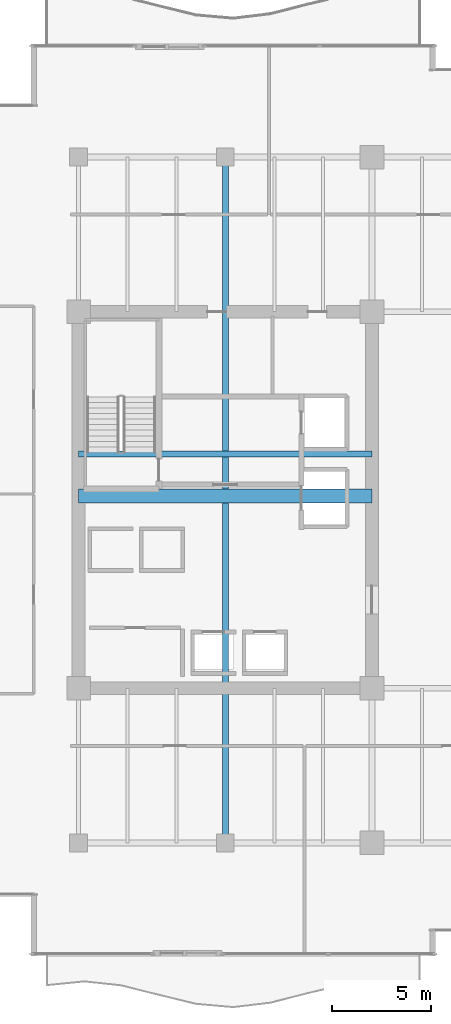
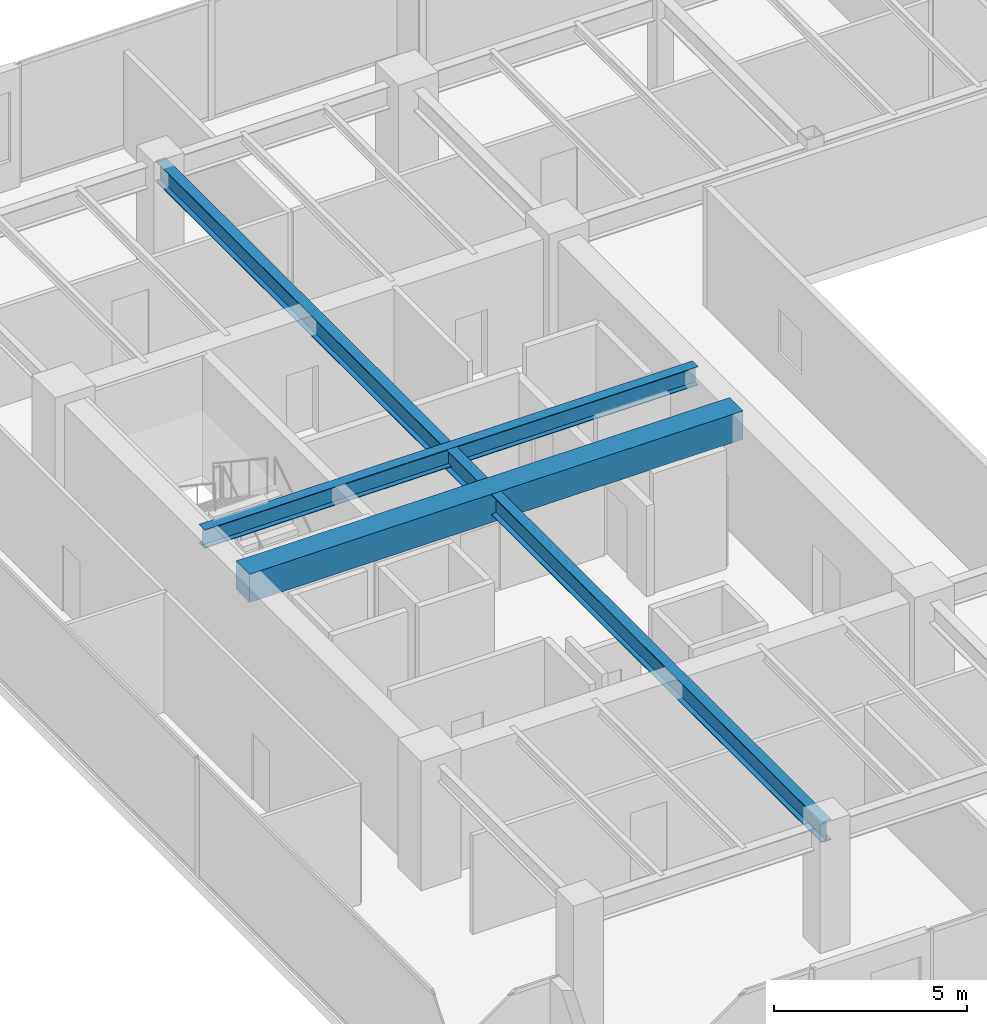
# One storey, part 7 of 30: 3 beams.
"""IFC4 building model written with IfcOpenShell, lengths in metres."""

from ifc_helpers import new_model, si_unit, direction, frame, origin, origin_2d, place, context, subcontext, project, spatial, rectangle, i_section, extrude, source, transform, mapped, material, material_profile, profile_set, type_object, type_shapes, element, save


model = new_model("IFC4")

# Units and contexts
model_context = context("Model", 3, precision=1e-05, world=origin(), true_north=direction((0.0, 1.0)))
body_context = subcontext(model_context, "Body", "Model", "MODEL_VIEW")
ifc_project = project(units=[si_unit("LENGTHUNIT", "METRE"), si_unit("AREAUNIT", "SQUARE_METRE"), si_unit("VOLUMEUNIT", "CUBIC_METRE"), si_unit("PLANEANGLEUNIT", "RADIAN"), si_unit("MASSUNIT", "GRAM", prefix="KILO")], contexts=[model_context])

# Site, building, storey
site_placement = place(None, origin())
site = spatial("IfcSite", under=ifc_project, at=site_placement, CompositionType="ELEMENT")
building_placement = place(site_placement, origin())
building = spatial("IfcBuilding", under=site, at=building_placement, Name="Haelvirn Gate Laboratories", CompositionType="ELEMENT")
storey_placement = place(building_placement, frame((0.0, 0.0, 146.10009765625)))
storey = spatial("IfcBuildingStorey", under=building, at=storey_placement, Name="L35", CompositionType="ELEMENT", Elevation=146.10009765625)

# Beams
ifc_material_1 = material(Name="Concrete C60/75", Category="concrete")
ifc_material_profile_1 = material_profile(ifc_material_1, rectangle(XDim=0.699951171875, YDim=0.89990234375, at=origin_2d()), Name="RCB-700x900")
ifc_profile_set_1 = profile_set([ifc_material_profile_1], Name="Concrete C60/75")
beam_type_1 = type_object("IfcBeamType", Name="BM-RCB-900", PredefinedType="LINTEL", material=ifc_profile_set_1)
shared_shape_1 = source(origin(), body_context, "Body", "SweptSolid", [
    extrude(rectangle(XDim=0.699951171875, YDim=0.89990234375, at=origin_2d()), origin(), (0.0, 0.0, 1.0), 14.800048828125),
])
type_shapes(beam_type_1, [shared_shape_1])
beam_1_placement = place(storey_placement, frame((7.39990234375, 24.5, 3.33984375), z_axis=(1.0, 0.0, 0.0), x_axis=(0.0, 1.0, 0.0)))
element("IfcBeam", 1, at=beam_1_placement, inside=storey, type_object=beam_type_1, Name="L35 West Core Coupling Beam", PredefinedType="LINTEL", context=body_context, shape_type="MappedRepresentation", body=[
    mapped(shared_shape_1, transform((0.0, 0.0, 0.0), scale=1.0)),
])
ifc_material_2 = material(Name="Steel SM355", Category="steel")
ifc_material_profile_2 = material_profile(ifc_material_2, i_section(OverallWidth=0.300048828125, OverallDepth=0.587890625, WebThickness=0.011962890625, FlangeThickness=0.02001953125, at=origin_2d()), Name="H-588x300x12x20")
ifc_profile_set_2 = profile_set([ifc_material_profile_2], Name="Steel SM355")
beam_type_2 = type_object("IfcBeamType", Name="BM-G-588", PredefinedType="BEAM", material=ifc_profile_set_2)
shared_shape_2 = source(origin(), body_context, "Body", "SweptSolid", [
    extrude(i_section(OverallWidth=0.300048828125, OverallDepth=0.587890625, WebThickness=0.011962890625, FlangeThickness=0.02001953125, at=origin_2d()), origin(), (0.0, 0.0, 1.0), 14.800048828125),
])
type_shapes(beam_type_2, [shared_shape_2])
beam_2_placement = place(storey_placement, frame((7.39990234375, 26.6201171875, 3.495849609375), z_axis=(1.0, 0.0, 0.0), x_axis=(0.0, 1.0, 0.0)))
element("IfcBeam", 2, at=beam_2_placement, inside=storey, type_object=beam_type_2, Name="L35 Stair ST1 Landing Header", PredefinedType="BEAM", context=body_context, shape_type="MappedRepresentation", body=[
    mapped(shared_shape_2, transform((0.0, 0.0, 0.0), scale=1.0)),
])
ifc_material_profile_3 = material_profile(ifc_material_2, i_section(OverallWidth=0.300048828125, OverallDepth=0.64990234375, WebThickness=0.012939453125, FlangeThickness=0.02197265625, at=origin_2d()), Name="H-650x300x13x22")
ifc_profile_set_3 = profile_set([ifc_material_profile_3], Name="Steel SM355")
beam_type_3 = type_object("IfcBeamType", Name="BM-G-650", PredefinedType="BEAM", material=ifc_profile_set_3)
shared_shape_3 = source(origin(), body_context, "Body", "SweptSolid", [
    extrude(i_section(OverallWidth=0.300048828125, OverallDepth=0.64990234375, WebThickness=0.012939453125, FlangeThickness=0.02197265625, at=origin_2d()), origin(), (0.0, 0.0, 1.0), 34.60009765625),
])
type_shapes(beam_type_3, [shared_shape_3])
beam_3_placement = place(storey_placement, frame((14.800048828125, 7.0, 3.46484375), z_axis=(0.0, 1.0, 0.0), x_axis=(-1.0, 0.0, 0.0)))
element("IfcBeam", 3, at=beam_3_placement, inside=storey, type_object=beam_type_3, Name="L35 Frame Girder X14.8 (7.0-41.6)", PredefinedType="BEAM", context=body_context, shape_type="MappedRepresentation", body=[
    mapped(shared_shape_3, transform((0.0, 0.0, 0.0), scale=1.0)),
])

save(model, "model.ifc")
